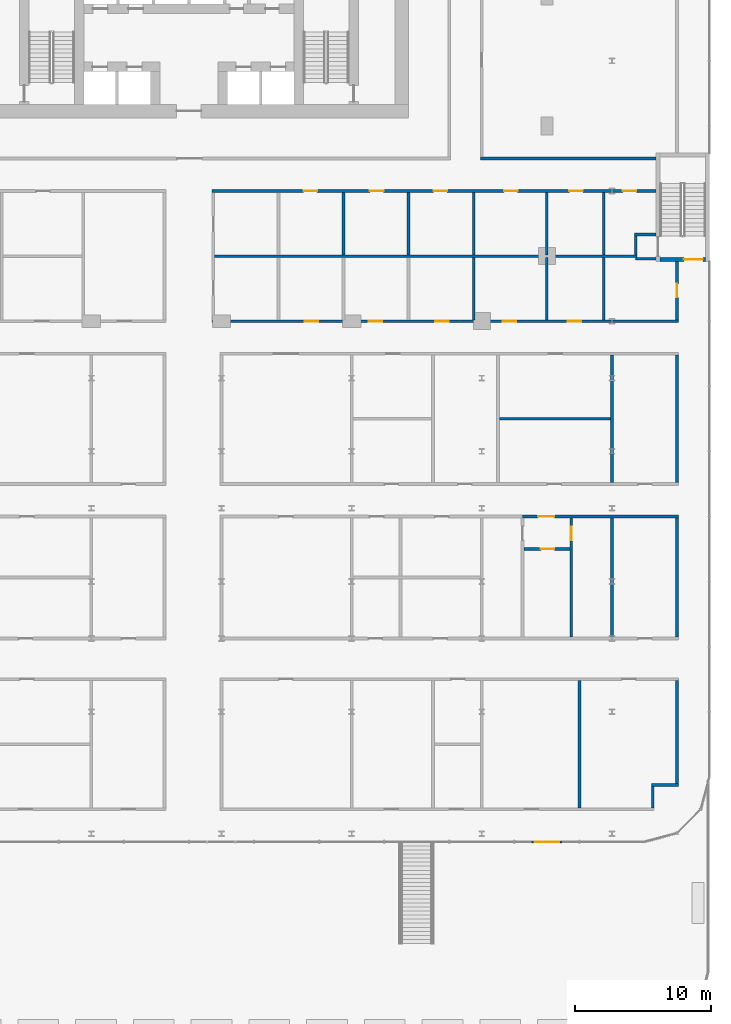
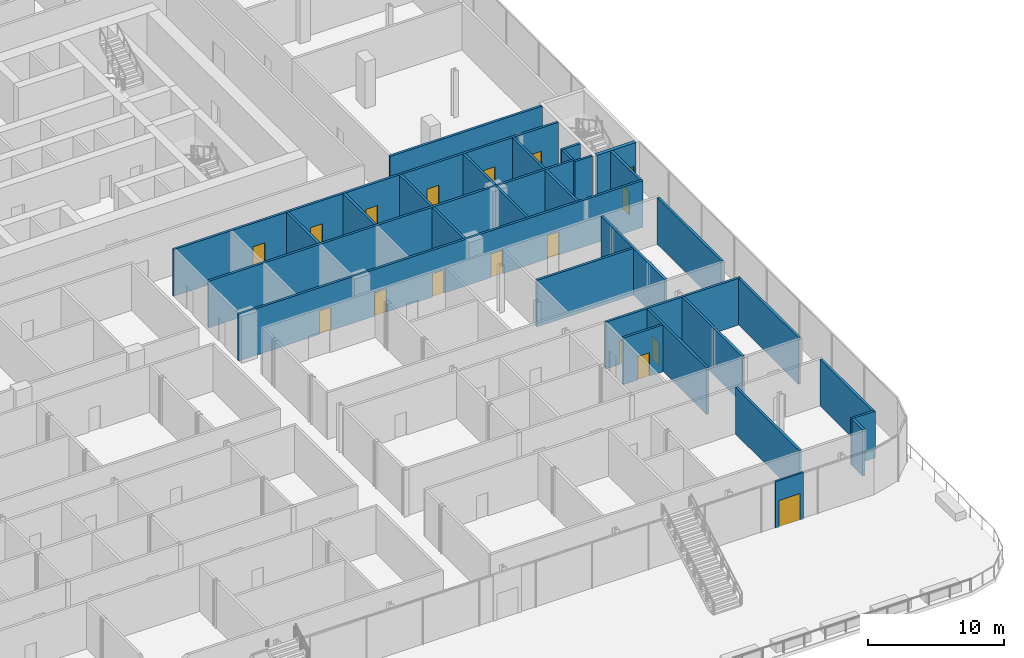
# One storey, part 34 of 45: 30 walls, 17 doors, 17 openings.
"""IFC4 building model written with IfcOpenShell, lengths in metres."""

from ifc_helpers import new_model, si_unit, direction, frame, frame_2d, origin, place, context, subcontext, project, spatial, rectangle, extrude, material, layer, layer_set, type_object, element, fill, save


model = new_model("IFC4")

# Units and contexts
model_context = context("Model", 3, precision=1e-05, world=origin(), true_north=direction((0.0, 1.0)))
body_context = subcontext(model_context, "Body", "Model", "MODEL_VIEW")
ifc_project = project(units=[si_unit("LENGTHUNIT", "METRE"), si_unit("AREAUNIT", "SQUARE_METRE"), si_unit("VOLUMEUNIT", "CUBIC_METRE"), si_unit("PLANEANGLEUNIT", "RADIAN"), si_unit("MASSUNIT", "GRAM", prefix="KILO")], contexts=[model_context])

# Site, building, storey
site_placement = place(None, origin())
site = spatial("IfcSite", under=ifc_project, at=site_placement, CompositionType="ELEMENT")
building_placement = place(site_placement, origin())
building = spatial("IfcBuilding", under=site, at=building_placement, Name="Madar Terraces", CompositionType="ELEMENT")
storey_placement = place(building_placement, frame((0.0, 0.0, 6.0)))
storey = spatial("IfcBuildingStorey", under=building, at=storey_placement, Name="L01", CompositionType="ELEMENT", Elevation=6.0)

# Wall, opening, door
ifc_material_1 = material(Name="Aluminium composite panel, black, over insulated backing", Category="aluminium")
ifc_layer_1 = layer(ifc_material_1, 0.14990234375)
ifc_layer_set_1 = layer_set([ifc_layer_1], Name="Facade bay panel 150")
wall_type_1 = type_object("IfcWallType", Name="Facade bay panel 150", PredefinedType="SOLIDWALL", material=ifc_layer_set_1)
wall_1_placement = place(storey_placement, frame((56.39990234375, -38.39990234375, 0.0), z_axis=(0.0, 0.0, 1.0), x_axis=(1.0, 0.0, 0.0)))
wall_1 = element("IfcWall", 1, at=wall_1_placement, inside=storey, type_object=wall_type_1, Name="Facade bay panel", PredefinedType="SOLIDWALL", context=body_context, shape_type="SweptSolid", body=[
    extrude(rectangle(XDim=2.400146484375, YDim=0.14990234375, at=frame_2d((1.2001953125, 0.0))), origin(), (0.0, 0.0, 1.0), 4.199951171875),
])
opening_1_placement = place(wall_1_placement, frame((0.300048828125, 0.0, 0.0)))
opening_1 = element("IfcOpeningElement", 2, at=opening_1_placement, cuts=wall_1, Name="Opening ED1", PredefinedType="OPENING", context=body_context, shape_type="SweptSolid", body=[
    extrude(rectangle(XDim=1.800048828125, YDim=2.39990234375, at=frame_2d((0.89990234375, 1.199951171875))), frame((0.0, 0.0849609375, 0.0), z_axis=(0.0, -1.0, 0.0), x_axis=(1.0, 0.0, 0.0)), (0.0, 0.0, 1.0), 0.169921875),
])
ifc_material_2 = material(Name="Glass, clear, with black aluminium frame", Category="aluminium")
door_type_1 = type_object("IfcDoorType", Name="Balcony and terrace sliding door 1800 x 2400", OperationType="SLIDING_TO_LEFT", PredefinedType="DOOR", material=ifc_material_2)
door_1_placement = place(opening_1_placement, origin())
door_1 = element("IfcDoor", 3, at=door_1_placement, inside=storey, type_object=door_type_1, Name="Balcony door", OperationType="SLIDING_TO_LEFT", OverallHeight=2.39990234375, OverallWidth=1.800048828125, PredefinedType="DOOR", context=body_context, shape_type="SweptSolid", body=[
    extrude(rectangle(XDim=1.800048828125, YDim=2.39990234375, at=frame_2d((0.89990234375, 1.199951171875))), frame((0.0, 0.02490234375, 0.0), z_axis=(0.0, -1.0, 0.0), x_axis=(1.0, 0.0, 0.0)), (0.0, 0.0, 1.0), 0.050048828125),
])
fill(opening_1, door_1)

# Walls
ifc_material_3 = material(Name="Blockwork", Category="masonry")
ifc_layer_2 = layer(ifc_material_3, 0.199951171875)
ifc_layer_set_2 = layer_set([ifc_layer_2], Name="Partition 200 EI 120")
wall_type_2 = type_object("IfcWallType", Name="Partition 200 EI 120", PredefinedType="PARTITIONING", material=ifc_layer_set_2)
wall_2_placement = place(storey_placement, frame((52.699951171875, 12.0, 0.0), z_axis=(0.0, 0.0, 1.0), x_axis=(1.0, 0.0, 0.0)))
element("IfcWall", 4, at=wall_2_placement, inside=storey, type_object=wall_type_2, Name="Wall COMMS ROOM / PODIUM CORRIDOR", PredefinedType="PARTITIONING", context=body_context, shape_type="SweptSolid", body=[
    extrude(rectangle(XDim=12.949951171875, YDim=0.199951171875, at=frame_2d((6.47509765625, 0.0))), origin(), (0.0, 0.0, 1.0), 4.199951171875),
])
ifc_material_4 = material(Name="Gypsum board partition, fire-rated")
ifc_layer_3 = layer(ifc_material_4, 0.199951171875)
ifc_layer_set_3 = layer_set([ifc_layer_3], Name="Partition 200 EI 60")
wall_type_3 = type_object("IfcWallType", Name="Partition 200 EI 60", PredefinedType="PARTITIONING", material=ifc_layer_set_3)
wall_3_placement = place(storey_placement, frame((65.300048828125, -34.199951171875, 0.0), z_axis=(0.0, 0.0, 1.0), x_axis=(1.0, 0.0, 0.0)))
element("IfcWall", 5, at=wall_3_placement, inside=storey, type_object=wall_type_3, Name="Wall PHARMACY STORE / PODIUM CORRIDOR", PredefinedType="PARTITIONING", context=body_context, shape_type="SweptSolid", body=[
    extrude(rectangle(XDim=2.0, YDim=0.199951171875, at=frame_2d((1.0, 0.0))), origin(), (0.0, 0.0, 1.0), 4.199951171875),
])

# Wall, opening, door
wall_4_placement = place(storey_placement, frame((59.300048828125, -16.800048828125, 0.0), z_axis=(0.0, 0.0, 1.0), x_axis=(-1.0, 0.0, 0.0)))
wall_4 = element("IfcWall", 6, at=wall_4_placement, inside=storey, type_object=wall_type_3, Name="Wall WC LOBBY / ACCESSIBLE WC", PredefinedType="PARTITIONING", context=body_context, shape_type="SweptSolid", body=[
    extrude(rectangle(XDim=3.400146484375, YDim=0.199951171875, at=frame_2d((1.7001953125, 0.0))), origin(), (0.0, 0.0, 1.0), 4.199951171875),
])
opening_2_placement = place(wall_4_placement, frame((1.14990234375, 0.0, 0.0)))
opening_2 = element("IfcOpeningElement", 7, at=opening_2_placement, cuts=wall_4, Name="Opening D31", PredefinedType="OPENING", context=body_context, shape_type="SweptSolid", body=[
    extrude(rectangle(XDim=1.0, YDim=2.10009765625, at=frame_2d((0.5, 1.050048828125))), frame((0.0, 0.10986328125, 0.0), z_axis=(0.0, -1.0, 0.0), x_axis=(1.0, 0.0, 0.0)), (0.0, 0.0, 1.0), 0.219970703125),
])
ifc_material_5 = material(Name="Timber door leaf, fire-rated", Category="wood")
door_type_2 = type_object("IfcDoorType", Name="Podium door 1000 x 2100 FD30S", OperationType="NOTDEFINED", PredefinedType="DOOR", material=ifc_material_5)
door_2_placement = place(opening_2_placement, origin())
door_2 = element("IfcDoor", 8, at=door_2_placement, inside=storey, type_object=door_type_2, Name="Door WC LOBBY / ACCESSIBLE WC", OperationType="SINGLE_SWING_LEFT", OverallHeight=2.10009765625, OverallWidth=1.0, PredefinedType="DOOR", context=body_context, shape_type="SweptSolid", body=[
    extrude(rectangle(XDim=1.0, YDim=2.10009765625, at=frame_2d((0.5, 1.050048828125))), frame((0.0, 0.02490234375, 0.0), z_axis=(0.0, -1.0, 0.0), x_axis=(1.0, 0.0, 0.0)), (0.0, 0.0, 1.0), 0.050048828125),
])
fill(opening_2, door_2)

wall_5_placement = place(storey_placement, frame((55.800048828125, -14.39990234375, 0.0), z_axis=(0.0, 0.0, 1.0), x_axis=(1.0, 0.0, 0.0)))
wall_5 = element("IfcWall", 9, at=wall_5_placement, inside=storey, type_object=wall_type_3, Name="Wall STAFF ROOM + WC LOBBY", PredefinedType="PARTITIONING", context=body_context, shape_type="SweptSolid", body=[
    extrude(rectangle(XDim=11.5, YDim=0.199951171875, at=frame_2d((5.75, 0.0))), origin(), (0.0, 0.0, 1.0), 4.199951171875),
])
opening_3_placement = place(wall_5_placement, frame((1.14990234375, 0.0, 0.0)))
opening_3 = element("IfcOpeningElement", 10, at=opening_3_placement, cuts=wall_5, Name="Opening D32", PredefinedType="OPENING", context=body_context, shape_type="SweptSolid", body=[
    extrude(rectangle(XDim=1.199951171875, YDim=2.10009765625, at=frame_2d((0.60009765625, 1.050048828125))), frame((0.0, 0.10986328125, 0.0), z_axis=(0.0, -1.0, 0.0), x_axis=(1.0, 0.0, 0.0)), (0.0, 0.0, 1.0), 0.219970703125),
])
ifc_material_6 = material(Name="Timber door leaf, fire-rated", Category="wood")
door_type_3 = type_object("IfcDoorType", Name="Podium door 1200 x 2100 FD30S", OperationType="NOTDEFINED", PredefinedType="DOOR", material=ifc_material_6)
door_3_placement = place(opening_3_placement, origin())
door_3 = element("IfcDoor", 11, at=door_3_placement, inside=storey, type_object=door_type_3, Name="Door WC LOBBY / PODIUM CORRIDOR", OperationType="SINGLE_SWING_LEFT", OverallHeight=2.10009765625, OverallWidth=1.199951171875, PredefinedType="DOOR", context=body_context, shape_type="SweptSolid", body=[
    extrude(rectangle(XDim=1.199951171875, YDim=2.10009765625, at=frame_2d((0.60009765625, 1.050048828125))), frame((0.0, 0.02490234375, 0.0), z_axis=(0.0, -1.0, 0.0), x_axis=(1.0, 0.0, 0.0)), (0.0, 0.0, 1.0), 0.050048828125),
])
fill(opening_3, door_3)

# Wall
wall_6_placement = place(storey_placement, frame((54.10009765625, -7.199951171875, 0.0), z_axis=(0.0, 0.0, 1.0), x_axis=(1.0, 0.0, 0.0)))
element("IfcWall", 12, at=wall_6_placement, inside=storey, type_object=wall_type_3, Name="Wall CONSULTING ROOM / CONSULTING ROOM", PredefinedType="PARTITIONING", context=body_context, shape_type="SweptSolid", body=[
    extrude(rectangle(XDim=8.199951171875, YDim=0.199951171875, at=frame_2d((4.10009765625, 0.0))), origin(), (0.0, 0.0, 1.0), 4.199951171875),
])

# Wall, openings, doors
wall_7_placement = place(storey_placement, frame((32.89990234375, 0.0, 0.0), z_axis=(0.0, 0.0, 1.0), x_axis=(1.0, 0.0, 0.0)))
wall_7 = element("IfcWall", 13, at=wall_7_placement, inside=storey, type_object=wall_type_3, Name="Wall CONSULTING ROOM + TREATMENT ROOM", PredefinedType="PARTITIONING", context=body_context, shape_type="SweptSolid", body=[
    extrude(rectangle(XDim=34.400146484375, YDim=0.199951171875, at=frame_2d((17.2001953125, 0.0))), origin(), (0.0, 0.0, 1.0), 4.199951171875),
])
opening_4_placement = place(wall_7_placement, frame((6.85009765625, 0.0, 0.0)))
opening_4 = element("IfcOpeningElement", 14, at=opening_4_placement, cuts=wall_7, Name="Opening D31", PredefinedType="OPENING", context=body_context, shape_type="SweptSolid", body=[
    extrude(rectangle(XDim=1.0, YDim=2.10009765625, at=frame_2d((0.5, 1.050048828125))), frame((0.0, 0.10986328125, 0.0), z_axis=(0.0, -1.0, 0.0), x_axis=(1.0, 0.0, 0.0)), (0.0, 0.0, 1.0), 0.219970703125),
])
opening_5_placement = place(wall_7_placement, frame((11.550048828125, 0.0, 0.0)))
opening_5 = element("IfcOpeningElement", 15, at=opening_5_placement, cuts=wall_7, Name="Opening D31", PredefinedType="OPENING", context=body_context, shape_type="SweptSolid", body=[
    extrude(rectangle(XDim=1.0, YDim=2.10009765625, at=frame_2d((0.5, 1.050048828125))), frame((0.0, 0.10986328125, 0.0), z_axis=(0.0, -1.0, 0.0), x_axis=(1.0, 0.0, 0.0)), (0.0, 0.0, 1.0), 0.219970703125),
])
opening_6_placement = place(wall_7_placement, frame((16.449951171875, 0.0, 0.0)))
opening_6 = element("IfcOpeningElement", 16, at=opening_6_placement, cuts=wall_7, Name="Opening D31", PredefinedType="OPENING", context=body_context, shape_type="SweptSolid", body=[
    extrude(rectangle(XDim=1.0, YDim=2.10009765625, at=frame_2d((0.5, 1.050048828125))), frame((0.0, 0.10986328125, 0.0), z_axis=(0.0, -1.0, 0.0), x_axis=(1.0, 0.0, 0.0)), (0.0, 0.0, 1.0), 0.219970703125),
])
opening_7_placement = place(wall_7_placement, frame((21.449951171875, 0.0, 0.0)))
opening_7 = element("IfcOpeningElement", 17, at=opening_7_placement, cuts=wall_7, Name="Opening D31", PredefinedType="OPENING", context=body_context, shape_type="SweptSolid", body=[
    extrude(rectangle(XDim=1.0, YDim=2.10009765625, at=frame_2d((0.5, 1.050048828125))), frame((0.0, 0.10986328125, 0.0), z_axis=(0.0, -1.0, 0.0), x_axis=(1.0, 0.0, 0.0)), (0.0, 0.0, 1.0), 0.219970703125),
])
opening_8_placement = place(wall_7_placement, frame((26.25, 0.0, 0.0)))
opening_8 = element("IfcOpeningElement", 18, at=opening_8_placement, cuts=wall_7, Name="Opening D31", PredefinedType="OPENING", context=body_context, shape_type="SweptSolid", body=[
    extrude(rectangle(XDim=1.0, YDim=2.10009765625, at=frame_2d((0.5, 1.050048828125))), frame((0.0, 0.10986328125, 0.0), z_axis=(0.0, -1.0, 0.0), x_axis=(1.0, 0.0, 0.0)), (0.0, 0.0, 1.0), 0.219970703125),
])
door_4_placement = place(opening_4_placement, origin())
door_4 = element("IfcDoor", 19, at=door_4_placement, inside=storey, type_object=door_type_2, Name="Door CONSULTING ROOM / PODIUM CORRIDOR", OperationType="SINGLE_SWING_RIGHT", OverallHeight=2.10009765625, OverallWidth=1.0, PredefinedType="DOOR", context=body_context, shape_type="SweptSolid", body=[
    extrude(rectangle(XDim=1.0, YDim=2.10009765625, at=frame_2d((0.5, 1.050048828125))), frame((0.0, 0.02490234375, 0.0), z_axis=(0.0, -1.0, 0.0), x_axis=(1.0, 0.0, 0.0)), (0.0, 0.0, 1.0), 0.050048828125),
])
fill(opening_4, door_4)
door_5_placement = place(opening_5_placement, origin())
door_5 = element("IfcDoor", 20, at=door_5_placement, inside=storey, type_object=door_type_2, Name="Door CONSULTING ROOM / PODIUM CORRIDOR", OperationType="SINGLE_SWING_LEFT", OverallHeight=2.10009765625, OverallWidth=1.0, PredefinedType="DOOR", context=body_context, shape_type="SweptSolid", body=[
    extrude(rectangle(XDim=1.0, YDim=2.10009765625, at=frame_2d((0.5, 1.050048828125))), frame((0.0, 0.02490234375, 0.0), z_axis=(0.0, -1.0, 0.0), x_axis=(1.0, 0.0, 0.0)), (0.0, 0.0, 1.0), 0.050048828125),
])
fill(opening_5, door_5)
door_6_placement = place(opening_6_placement, origin())
door_6 = element("IfcDoor", 21, at=door_6_placement, inside=storey, type_object=door_type_2, Name="Door CONSULTING ROOM / PODIUM CORRIDOR", OperationType="SINGLE_SWING_RIGHT", OverallHeight=2.10009765625, OverallWidth=1.0, PredefinedType="DOOR", context=body_context, shape_type="SweptSolid", body=[
    extrude(rectangle(XDim=1.0, YDim=2.10009765625, at=frame_2d((0.5, 1.050048828125))), frame((0.0, 0.02490234375, 0.0), z_axis=(0.0, -1.0, 0.0), x_axis=(1.0, 0.0, 0.0)), (0.0, 0.0, 1.0), 0.050048828125),
])
fill(opening_6, door_6)
door_7_placement = place(opening_7_placement, origin())
door_7 = element("IfcDoor", 22, at=door_7_placement, inside=storey, type_object=door_type_2, Name="Door CONSULTING ROOM / PODIUM CORRIDOR", OperationType="SINGLE_SWING_LEFT", OverallHeight=2.10009765625, OverallWidth=1.0, PredefinedType="DOOR", context=body_context, shape_type="SweptSolid", body=[
    extrude(rectangle(XDim=1.0, YDim=2.10009765625, at=frame_2d((0.5, 1.050048828125))), frame((0.0, 0.02490234375, 0.0), z_axis=(0.0, -1.0, 0.0), x_axis=(1.0, 0.0, 0.0)), (0.0, 0.0, 1.0), 0.050048828125),
])
fill(opening_7, door_7)
door_8_placement = place(opening_8_placement, origin())
door_8 = element("IfcDoor", 23, at=door_8_placement, inside=storey, type_object=door_type_2, Name="Door CONSULTING ROOM / PODIUM CORRIDOR", OperationType="SINGLE_SWING_LEFT", OverallHeight=2.10009765625, OverallWidth=1.0, PredefinedType="DOOR", context=body_context, shape_type="SweptSolid", body=[
    extrude(rectangle(XDim=1.0, YDim=2.10009765625, at=frame_2d((0.5, 1.050048828125))), frame((0.0, 0.02490234375, 0.0), z_axis=(0.0, -1.0, 0.0), x_axis=(1.0, 0.0, 0.0)), (0.0, 0.0, 1.0), 0.050048828125),
])
fill(opening_8, door_8)

# Walls
wall_8_placement = place(storey_placement, frame((64.14990234375, 4.60009765625, 0.0), z_axis=(0.0, 0.0, 1.0), x_axis=(1.0, 0.0, 0.0)))
element("IfcWall", 24, at=wall_8_placement, inside=storey, type_object=wall_type_3, Name="Wall TREATMENT ROOM / PODIUM CORRIDOR", PredefinedType="PARTITIONING", context=body_context, shape_type="SweptSolid", body=[
    extrude(rectangle(XDim=1.5, YDim=0.199951171875, at=frame_2d((0.75, 0.0))), origin(), (0.0, 0.0, 1.0), 4.199951171875),
])
wall_9_placement = place(storey_placement, frame((33.10009765625, 4.800048828125, 0.0), z_axis=(0.0, 0.0, 1.0), x_axis=(1.0, 0.0, 0.0)))
element("IfcWall", 25, at=wall_9_placement, inside=storey, type_object=wall_type_3, Name="Wall CONSULTING ROOM + TREATMENT ROOM", PredefinedType="PARTITIONING", context=body_context, shape_type="SweptSolid", body=[
    extrude(rectangle(XDim=31.14990234375, YDim=0.199951171875, at=frame_2d((15.574951171875, 0.0))), origin(), (0.0, 0.0, 1.0), 4.199951171875),
])
wall_10_placement = place(storey_placement, frame((64.050048828125, 6.39990234375, 0.0), z_axis=(0.0, 0.0, 1.0), x_axis=(1.0, 0.0, 0.0)))
element("IfcWall", 26, at=wall_10_placement, inside=storey, type_object=wall_type_3, Name="Wall TREATMENT ROOM / PODIUM CORRIDOR", PredefinedType="PARTITIONING", context=body_context, shape_type="SweptSolid", body=[
    extrude(rectangle(XDim=1.599853515625, YDim=0.199951171875, at=frame_2d((0.7998046875, 0.0))), origin(), (0.0, 0.0, 1.0), 4.199951171875),
])

# Wall, openings, doors
wall_11_placement = place(storey_placement, frame((65.64990234375, 9.60009765625, 0.0), z_axis=(0.0, 0.0, 1.0), x_axis=(-1.0, 0.0, 0.0)))
wall_11 = element("IfcWall", 27, at=wall_11_placement, inside=storey, type_object=wall_type_3, Name="Wall CONSULTING ROOM + TREATMENT ROOM", PredefinedType="PARTITIONING", context=body_context, shape_type="SweptSolid", body=[
    extrude(rectangle(XDim=32.75, YDim=0.199951171875, at=frame_2d((16.375, 0.0))), origin(), (0.0, 0.0, 1.0), 4.199951171875),
])
opening_9_placement = place(wall_11_placement, frame((25.0, 0.0, 0.0)))
opening_9 = element("IfcOpeningElement", 28, at=opening_9_placement, cuts=wall_11, Name="Opening D31", PredefinedType="OPENING", context=body_context, shape_type="SweptSolid", body=[
    extrude(rectangle(XDim=1.0, YDim=2.10009765625, at=frame_2d((0.5, 1.050048828125))), frame((0.0, 0.10986328125, 0.0), z_axis=(0.0, -1.0, 0.0), x_axis=(1.0, 0.0, 0.0)), (0.0, 0.0, 1.0), 0.219970703125),
])
opening_10_placement = place(wall_11_placement, frame((20.10009765625, 0.0, 0.0)))
opening_10 = element("IfcOpeningElement", 29, at=opening_10_placement, cuts=wall_11, Name="Opening D31", PredefinedType="OPENING", context=body_context, shape_type="SweptSolid", body=[
    extrude(rectangle(XDim=1.0, YDim=2.10009765625, at=frame_2d((0.5, 1.050048828125))), frame((0.0, 0.10986328125, 0.0), z_axis=(0.0, -1.0, 0.0), x_axis=(1.0, 0.0, 0.0)), (0.0, 0.0, 1.0), 0.219970703125),
])
opening_11_placement = place(wall_11_placement, frame((15.39990234375, 0.0, 0.0)))
opening_11 = element("IfcOpeningElement", 30, at=opening_11_placement, cuts=wall_11, Name="Opening D31", PredefinedType="OPENING", context=body_context, shape_type="SweptSolid", body=[
    extrude(rectangle(XDim=1.0, YDim=2.10009765625, at=frame_2d((0.5, 1.050048828125))), frame((0.0, 0.10986328125, 0.0), z_axis=(0.0, -1.0, 0.0), x_axis=(1.0, 0.0, 0.0)), (0.0, 0.0, 1.0), 0.219970703125),
])
opening_12_placement = place(wall_11_placement, frame((10.199951171875, 0.0, 0.0)))
opening_12 = element("IfcOpeningElement", 31, at=opening_12_placement, cuts=wall_11, Name="Opening D31", PredefinedType="OPENING", context=body_context, shape_type="SweptSolid", body=[
    extrude(rectangle(XDim=1.0, YDim=2.10009765625, at=frame_2d((0.5, 1.050048828125))), frame((0.0, 0.10986328125, 0.0), z_axis=(0.0, -1.0, 0.0), x_axis=(1.0, 0.0, 0.0)), (0.0, 0.0, 1.0), 0.219970703125),
])
opening_13_placement = place(wall_11_placement, frame((5.39990234375, 0.0, 0.0)))
opening_13 = element("IfcOpeningElement", 32, at=opening_13_placement, cuts=wall_11, Name="Opening D31", PredefinedType="OPENING", context=body_context, shape_type="SweptSolid", body=[
    extrude(rectangle(XDim=1.0, YDim=2.10009765625, at=frame_2d((0.5, 1.050048828125))), frame((0.0, 0.10986328125, 0.0), z_axis=(0.0, -1.0, 0.0), x_axis=(1.0, 0.0, 0.0)), (0.0, 0.0, 1.0), 0.219970703125),
])
opening_14_placement = place(wall_11_placement, frame((1.449951171875, 0.0, 0.0)))
opening_14 = element("IfcOpeningElement", 33, at=opening_14_placement, cuts=wall_11, Name="Opening D31", PredefinedType="OPENING", context=body_context, shape_type="SweptSolid", body=[
    extrude(rectangle(XDim=1.0, YDim=2.10009765625, at=frame_2d((0.5, 1.050048828125))), frame((0.0, 0.10986328125, 0.0), z_axis=(0.0, -1.0, 0.0), x_axis=(1.0, 0.0, 0.0)), (0.0, 0.0, 1.0), 0.219970703125),
])
door_9_placement = place(opening_9_placement, origin())
door_9 = element("IfcDoor", 34, at=door_9_placement, inside=storey, type_object=door_type_2, Name="Door CONSULTING ROOM / PODIUM CORRIDOR", OperationType="SINGLE_SWING_RIGHT", OverallHeight=2.10009765625, OverallWidth=1.0, PredefinedType="DOOR", context=body_context, shape_type="SweptSolid", body=[
    extrude(rectangle(XDim=1.0, YDim=2.10009765625, at=frame_2d((0.5, 1.050048828125))), frame((0.0, 0.02490234375, 0.0), z_axis=(0.0, -1.0, 0.0), x_axis=(1.0, 0.0, 0.0)), (0.0, 0.0, 1.0), 0.050048828125),
])
fill(opening_9, door_9)
door_10_placement = place(opening_10_placement, origin())
door_10 = element("IfcDoor", 35, at=door_10_placement, inside=storey, type_object=door_type_2, Name="Door CONSULTING ROOM / PODIUM CORRIDOR", OperationType="SINGLE_SWING_LEFT", OverallHeight=2.10009765625, OverallWidth=1.0, PredefinedType="DOOR", context=body_context, shape_type="SweptSolid", body=[
    extrude(rectangle(XDim=1.0, YDim=2.10009765625, at=frame_2d((0.5, 1.050048828125))), frame((0.0, 0.02490234375, 0.0), z_axis=(0.0, -1.0, 0.0), x_axis=(1.0, 0.0, 0.0)), (0.0, 0.0, 1.0), 0.050048828125),
])
fill(opening_10, door_10)
door_11_placement = place(opening_11_placement, origin())
door_11 = element("IfcDoor", 36, at=door_11_placement, inside=storey, type_object=door_type_2, Name="Door CONSULTING ROOM / PODIUM CORRIDOR", OperationType="SINGLE_SWING_RIGHT", OverallHeight=2.10009765625, OverallWidth=1.0, PredefinedType="DOOR", context=body_context, shape_type="SweptSolid", body=[
    extrude(rectangle(XDim=1.0, YDim=2.10009765625, at=frame_2d((0.5, 1.050048828125))), frame((0.0, 0.02490234375, 0.0), z_axis=(0.0, -1.0, 0.0), x_axis=(1.0, 0.0, 0.0)), (0.0, 0.0, 1.0), 0.050048828125),
])
fill(opening_11, door_11)
door_12_placement = place(opening_12_placement, origin())
door_12 = element("IfcDoor", 37, at=door_12_placement, inside=storey, type_object=door_type_2, Name="Door CONSULTING ROOM / PODIUM CORRIDOR", OperationType="SINGLE_SWING_LEFT", OverallHeight=2.10009765625, OverallWidth=1.0, PredefinedType="DOOR", context=body_context, shape_type="SweptSolid", body=[
    extrude(rectangle(XDim=1.0, YDim=2.10009765625, at=frame_2d((0.5, 1.050048828125))), frame((0.0, 0.02490234375, 0.0), z_axis=(0.0, -1.0, 0.0), x_axis=(1.0, 0.0, 0.0)), (0.0, 0.0, 1.0), 0.050048828125),
])
fill(opening_12, door_12)
door_13_placement = place(opening_13_placement, origin())
door_13 = element("IfcDoor", 38, at=door_13_placement, inside=storey, type_object=door_type_2, Name="Door CONSULTING ROOM / PODIUM CORRIDOR", OperationType="SINGLE_SWING_LEFT", OverallHeight=2.10009765625, OverallWidth=1.0, PredefinedType="DOOR", context=body_context, shape_type="SweptSolid", body=[
    extrude(rectangle(XDim=1.0, YDim=2.10009765625, at=frame_2d((0.5, 1.050048828125))), frame((0.0, 0.02490234375, 0.0), z_axis=(0.0, -1.0, 0.0), x_axis=(1.0, 0.0, 0.0)), (0.0, 0.0, 1.0), 0.050048828125),
])
fill(opening_13, door_13)
door_14_placement = place(opening_14_placement, origin())
door_14 = element("IfcDoor", 39, at=door_14_placement, inside=storey, type_object=door_type_2, Name="Door TREATMENT ROOM / PODIUM CORRIDOR", OperationType="SINGLE_SWING_RIGHT", OverallHeight=2.10009765625, OverallWidth=1.0, PredefinedType="DOOR", context=body_context, shape_type="SweptSolid", body=[
    extrude(rectangle(XDim=1.0, YDim=2.10009765625, at=frame_2d((0.5, 1.050048828125))), frame((0.0, 0.02490234375, 0.0), z_axis=(0.0, -1.0, 0.0), x_axis=(1.0, 0.0, 0.0)), (0.0, 0.0, 1.0), 0.050048828125),
])
fill(opening_14, door_14)

# Walls
for number, where, z_axis, x_axis, name in (
    (40, (42.60009765625, 4.89990234375, 0.0), (0.0, 0.0, 1.0), (0.0, 1.0, 0.0), "Wall CONSULTING ROOM / CONSULTING ROOM"),
    (41, (47.39990234375, 4.89990234375, 0.0), (0.0, 0.0, 1.0), (0.0, 1.0, 0.0), "Wall CONSULTING ROOM / CONSULTING ROOM"),
):
    element("IfcWall", number, at=place(storey_placement, frame(where, z_axis=z_axis, x_axis=x_axis)), inside=storey, type_object=wall_type_3, Name=name, PredefinedType="PARTITIONING", context=body_context, shape_type="SweptSolid", body=[
        extrude(rectangle(XDim=4.60009765625, YDim=0.199951171875, at=frame_2d((2.300048828125, 0.0))), origin(), (0.0, 0.0, 1.0), 4.199951171875),
    ])
wall_12_placement = place(storey_placement, frame((52.199951171875, 0.10009765625, 0.0), z_axis=(0.0, 0.0, 1.0), x_axis=(0.0, 1.0, 0.0)))
element("IfcWall", 42, at=wall_12_placement, inside=storey, type_object=wall_type_3, Name="Wall CONSULTING ROOM / CONSULTING ROOM", PredefinedType="PARTITIONING", context=body_context, shape_type="SweptSolid", body=[
    extrude(rectangle(XDim=4.599853515625, YDim=0.199951171875, at=frame_2d((2.2998046875, 0.0))), origin(), (0.0, 0.0, 1.0), 4.199951171875),
])
wall_13_placement = place(storey_placement, frame((52.199951171875, 4.89990234375, 0.0), z_axis=(0.0, 0.0, 1.0), x_axis=(0.0, 1.0, 0.0)))
element("IfcWall", 43, at=wall_13_placement, inside=storey, type_object=wall_type_3, Name="Wall CONSULTING ROOM / CONSULTING ROOM", PredefinedType="PARTITIONING", context=body_context, shape_type="SweptSolid", body=[
    extrude(rectangle(XDim=4.60009765625, YDim=0.199951171875, at=frame_2d((2.300048828125, 0.0))), origin(), (0.0, 0.0, 1.0), 4.199951171875),
])
wall_14_placement = place(storey_placement, frame((57.60009765625, 0.10009765625, 0.0), z_axis=(0.0, 0.0, 1.0), x_axis=(0.0, 1.0, 0.0)))
element("IfcWall", 44, at=wall_14_placement, inside=storey, type_object=wall_type_3, Name="Wall CONSULTING ROOM / CONSULTING ROOM", PredefinedType="PARTITIONING", context=body_context, shape_type="SweptSolid", body=[
    extrude(rectangle(XDim=4.599853515625, YDim=0.199951171875, at=frame_2d((2.2998046875, 0.0))), origin(), (0.0, 0.0, 1.0), 4.199951171875),
])
wall_15_placement = place(storey_placement, frame((57.60009765625, 4.89990234375, 0.0), z_axis=(0.0, 0.0, 1.0), x_axis=(0.0, 1.0, 0.0)))
element("IfcWall", 45, at=wall_15_placement, inside=storey, type_object=wall_type_3, Name="Wall CONSULTING ROOM / CONSULTING ROOM", PredefinedType="PARTITIONING", context=body_context, shape_type="SweptSolid", body=[
    extrude(rectangle(XDim=4.60009765625, YDim=0.199951171875, at=frame_2d((2.300048828125, 0.0))), origin(), (0.0, 0.0, 1.0), 4.199951171875),
])

# Wall, opening, door
wall_16_placement = place(storey_placement, frame((59.39990234375, -14.5, 0.0), z_axis=(0.0, 0.0, 1.0), x_axis=(0.0, -1.0, 0.0)))
wall_16 = element("IfcWall", 46, at=wall_16_placement, inside=storey, type_object=wall_type_3, Name="Wall WC LOBBY + WC WOMEN", PredefinedType="PARTITIONING", context=body_context, shape_type="SweptSolid", body=[
    extrude(rectangle(XDim=8.800048828125, YDim=0.199951171875, at=frame_2d((4.39990234375, 0.0))), origin(), (0.0, 0.0, 1.0), 4.199951171875),
])
opening_15_placement = place(wall_16_placement, frame((0.64990234375, 0.0, 0.0)))
opening_15 = element("IfcOpeningElement", 47, at=opening_15_placement, cuts=wall_16, Name="Opening D31", PredefinedType="OPENING", context=body_context, shape_type="SweptSolid", body=[
    extrude(rectangle(XDim=1.0, YDim=2.10009765625, at=frame_2d((0.5, 1.050048828125))), frame((0.0, 0.10986328125, 0.0), z_axis=(0.0, -1.0, 0.0), x_axis=(1.0, 0.0, 0.0)), (0.0, 0.0, 1.0), 0.219970703125),
])
door_15_placement = place(opening_15_placement, origin())
door_15 = element("IfcDoor", 48, at=door_15_placement, inside=storey, type_object=door_type_2, Name="Door WC LOBBY / WC WOMEN", OperationType="SINGLE_SWING_RIGHT", OverallHeight=2.10009765625, OverallWidth=1.0, PredefinedType="DOOR", context=body_context, shape_type="SweptSolid", body=[
    extrude(rectangle(XDim=1.0, YDim=2.10009765625, at=frame_2d((0.5, 1.050048828125))), frame((0.0, 0.02490234375, 0.0), z_axis=(0.0, -1.0, 0.0), x_axis=(1.0, 0.0, 0.0)), (0.0, 0.0, 1.0), 0.050048828125),
])
fill(opening_15, door_15)

# Walls
wall_17_placement = place(storey_placement, frame((60.0, -35.89990234375, 0.0), z_axis=(0.0, 0.0, 1.0), x_axis=(0.0, 1.0, 0.0)))
element("IfcWall", 49, at=wall_17_placement, inside=storey, type_object=wall_type_3, Name="Wall TREATMENT ROOM / PHARMACY STORE", PredefinedType="PARTITIONING", context=body_context, shape_type="SweptSolid", body=[
    extrude(rectangle(XDim=9.39990234375, YDim=0.199951171875, at=frame_2d((4.699951171875, 0.0))), origin(), (0.0, 0.0, 1.0), 4.199951171875),
])
wall_18_placement = place(storey_placement, frame((61.800048828125, 0.10009765625, 0.0), z_axis=(0.0, 0.0, 1.0), x_axis=(0.0, 1.0, 0.0)))
element("IfcWall", 50, at=wall_18_placement, inside=storey, type_object=wall_type_3, Name="Wall CONSULTING ROOM / TREATMENT ROOM", PredefinedType="PARTITIONING", context=body_context, shape_type="SweptSolid", body=[
    extrude(rectangle(XDim=4.599853515625, YDim=0.199951171875, at=frame_2d((2.2998046875, 0.0))), origin(), (0.0, 0.0, 1.0), 4.199951171875),
])
wall_19_placement = place(storey_placement, frame((61.800048828125, 4.89990234375, 0.0), z_axis=(0.0, 0.0, 1.0), x_axis=(0.0, 1.0, 0.0)))
element("IfcWall", 51, at=wall_19_placement, inside=storey, type_object=wall_type_3, Name="Wall CONSULTING ROOM / TREATMENT ROOM", PredefinedType="PARTITIONING", context=body_context, shape_type="SweptSolid", body=[
    extrude(rectangle(XDim=4.60009765625, YDim=0.199951171875, at=frame_2d((2.300048828125, 0.0))), origin(), (0.0, 0.0, 1.0), 4.199951171875),
])
wall_20_placement = place(storey_placement, frame((62.39990234375, -23.300048828125, 0.0), z_axis=(0.0, 0.0, 1.0), x_axis=(0.0, 1.0, 0.0)))
element("IfcWall", 52, at=wall_20_placement, inside=storey, type_object=wall_type_3, Name="Wall WC WOMEN / STAFF ROOM", PredefinedType="PARTITIONING", context=body_context, shape_type="SweptSolid", body=[
    extrude(rectangle(XDim=8.800048828125, YDim=0.199951171875, at=frame_2d((4.39990234375, 0.0))), origin(), (0.0, 0.0, 1.0), 4.199951171875),
])
wall_21_placement = place(storey_placement, frame((62.39990234375, -11.89990234375, 0.0), z_axis=(0.0, 0.0, 1.0), x_axis=(0.0, 1.0, 0.0)))
element("IfcWall", 53, at=wall_21_placement, inside=storey, type_object=wall_type_3, Name="Wall CONSULTING ROOM", PredefinedType="PARTITIONING", context=body_context, shape_type="SweptSolid", body=[
    extrude(rectangle(XDim=9.39990234375, YDim=0.199951171875, at=frame_2d((4.699951171875, 0.0))), origin(), (0.0, 0.0, 1.0), 4.199951171875),
])
wall_22_placement = place(storey_placement, frame((64.14990234375, 4.89990234375, 0.0), z_axis=(0.0, 0.0, 1.0), x_axis=(0.0, 1.0, 0.0)))
element("IfcWall", 54, at=wall_22_placement, inside=storey, type_object=wall_type_3, Name="Wall TREATMENT ROOM / PODIUM CORRIDOR", PredefinedType="PARTITIONING", context=body_context, shape_type="SweptSolid", body=[
    extrude(rectangle(XDim=1.400146484375, YDim=0.199951171875, at=frame_2d((0.7001953125, 0.0))), origin(), (0.0, 0.0, 1.0), 4.199951171875),
])
wall_23_placement = place(storey_placement, frame((65.39990234375, -35.89990234375, 0.0), z_axis=(0.0, 0.0, 1.0), x_axis=(0.0, 1.0, 0.0)))
element("IfcWall", 55, at=wall_23_placement, inside=storey, type_object=wall_type_3, Name="Wall PHARMACY STORE / PODIUM CORRIDOR", PredefinedType="PARTITIONING", context=body_context, shape_type="SweptSolid", body=[
    extrude(rectangle(XDim=1.599853515625, YDim=0.199951171875, at=frame_2d((0.7998046875, 0.0))), origin(), (0.0, 0.0, 1.0), 4.199951171875),
])
wall_24_placement = place(storey_placement, frame((67.199951171875, -34.10009765625, 0.0), z_axis=(0.0, 0.0, 1.0), x_axis=(0.0, 1.0, 0.0)))
element("IfcWall", 56, at=wall_24_placement, inside=storey, type_object=wall_type_3, Name="Wall PHARMACY STORE / PODIUM CORRIDOR", PredefinedType="PARTITIONING", context=body_context, shape_type="SweptSolid", body=[
    extrude(rectangle(XDim=7.60009765625, YDim=0.199951171875, at=frame_2d((3.800048828125, 0.0))), origin(), (0.0, 0.0, 1.0), 4.199951171875),
])
wall_25_placement = place(storey_placement, frame((67.199951171875, -23.300048828125, 0.0), z_axis=(0.0, 0.0, 1.0), x_axis=(0.0, 1.0, 0.0)))
element("IfcWall", 57, at=wall_25_placement, inside=storey, type_object=wall_type_3, Name="Wall STAFF ROOM / PODIUM CORRIDOR", PredefinedType="PARTITIONING", context=body_context, shape_type="SweptSolid", body=[
    extrude(rectangle(XDim=8.800048828125, YDim=0.199951171875, at=frame_2d((4.39990234375, 0.0))), origin(), (0.0, 0.0, 1.0), 4.199951171875),
])
wall_26_placement = place(storey_placement, frame((67.199951171875, -11.89990234375, 0.0), z_axis=(0.0, 0.0, 1.0), x_axis=(0.0, 1.0, 0.0)))
element("IfcWall", 58, at=wall_26_placement, inside=storey, type_object=wall_type_3, Name="Wall SCAN ROOM / PODIUM CORRIDOR", PredefinedType="PARTITIONING", context=body_context, shape_type="SweptSolid", body=[
    extrude(rectangle(XDim=9.39990234375, YDim=0.199951171875, at=frame_2d((4.699951171875, 0.0))), origin(), (0.0, 0.0, 1.0), 4.199951171875),
])

# Wall, opening, door
wall_27_placement = place(storey_placement, frame((67.199951171875, 0.10009765625, 0.0), z_axis=(0.0, 0.0, 1.0), x_axis=(0.0, 1.0, 0.0)))
wall_27 = element("IfcWall", 59, at=wall_27_placement, inside=storey, type_object=wall_type_3, Name="Wall TREATMENT ROOM / PODIUM CORRIDOR", PredefinedType="PARTITIONING", context=body_context, shape_type="SweptSolid", body=[
    extrude(rectangle(XDim=4.2998046875, YDim=0.199951171875, at=frame_2d((2.14990234375, 0.0))), origin(), (0.0, 0.0, 1.0), 4.199951171875),
])
opening_16_placement = place(wall_27_placement, frame((1.64990234375, 0.0, 0.0)))
opening_16 = element("IfcOpeningElement", 60, at=opening_16_placement, cuts=wall_27, Name="Opening D31", PredefinedType="OPENING", context=body_context, shape_type="SweptSolid", body=[
    extrude(rectangle(XDim=1.0, YDim=2.10009765625, at=frame_2d((0.5, 1.050048828125))), frame((0.0, 0.10986328125, 0.0), z_axis=(0.0, -1.0, 0.0), x_axis=(1.0, 0.0, 0.0)), (0.0, 0.0, 1.0), 0.219970703125),
])
door_16_placement = place(opening_16_placement, origin())
door_16 = element("IfcDoor", 61, at=door_16_placement, inside=storey, type_object=door_type_2, Name="Door TREATMENT ROOM / PODIUM CORRIDOR", OperationType="SINGLE_SWING_LEFT", OverallHeight=2.10009765625, OverallWidth=1.0, PredefinedType="DOOR", context=body_context, shape_type="SweptSolid", body=[
    extrude(rectangle(XDim=1.0, YDim=2.10009765625, at=frame_2d((0.5, 1.050048828125))), frame((0.0, 0.02490234375, 0.0), z_axis=(0.0, -1.0, 0.0), x_axis=(1.0, 0.0, 0.0)), (0.0, 0.0, 1.0), 0.050048828125),
])
fill(opening_16, door_16)

ifc_material_7 = material(Name="Concrete C40/50", Category="concrete")
ifc_layer_4 = layer(ifc_material_7, 0.300048828125)
ifc_layer_set_4 = layer_set([ifc_layer_4], Name="Podium stair wall 300 C40/50")
wall_type_4 = type_object("IfcWallType", Name="Podium stair wall 300 C40/50", PredefinedType="SOLIDWALL", material=ifc_layer_set_4)
wall_28_placement = place(storey_placement, frame((65.949951171875, 4.550048828125, 0.0), z_axis=(0.0, 0.0, 1.0), x_axis=(1.0, 0.0, 0.0)))
wall_28 = element("IfcWall", 62, at=wall_28_placement, inside=storey, type_object=wall_type_4, Name="PODIUM STAIR WALL", PredefinedType="SOLIDWALL", context=body_context, shape_type="SweptSolid", body=[
    extrude(rectangle(XDim=3.35009765625, YDim=0.300048828125, at=frame_2d((1.675048828125, 0.0))), origin(), (0.0, 0.0, 1.0), 4.199951171875),
])
opening_17_placement = place(wall_28_placement, frame((1.75, 0.0, 0.0)))
opening_17 = element("IfcOpeningElement", 63, at=opening_17_placement, cuts=wall_28, Name="Opening PSD1", PredefinedType="OPENING", context=body_context, shape_type="SweptSolid", body=[
    extrude(rectangle(XDim=1.39990234375, YDim=2.10009765625, at=frame_2d((0.699951171875, 1.050048828125))), frame((0.0, 0.159912109375, 0.0), z_axis=(0.0, -1.0, 0.0), x_axis=(1.0, 0.0, 0.0)), (0.0, 0.0, 1.0), 0.320068359375),
])
ifc_material_8 = material(Name="Steel door leaf", Category="steel")
door_type_4 = type_object("IfcDoorType", Name="Podium stair door pair 1400 x 2100", OperationType="DOUBLE_DOOR_SINGLE_SWING", PredefinedType="DOOR", material=ifc_material_8)
door_17_placement = place(opening_17_placement, origin())
door_17 = element("IfcDoor", 64, at=door_17_placement, inside=storey, type_object=door_type_4, Name="STAIR DOOR", OperationType="DOUBLE_DOOR_SINGLE_SWING", OverallHeight=2.10009765625, OverallWidth=1.39990234375, PredefinedType="DOOR", context=body_context, shape_type="SweptSolid", body=[
    extrude(rectangle(XDim=1.39990234375, YDim=2.10009765625, at=frame_2d((0.699951171875, 1.050048828125))), frame((0.0, 0.02490234375, 0.0), z_axis=(0.0, -1.0, 0.0), x_axis=(1.0, 0.0, 0.0)), (0.0, 0.0, 1.0), 0.050048828125),
])
fill(opening_17, door_17)

save(model, "model.ifc")
